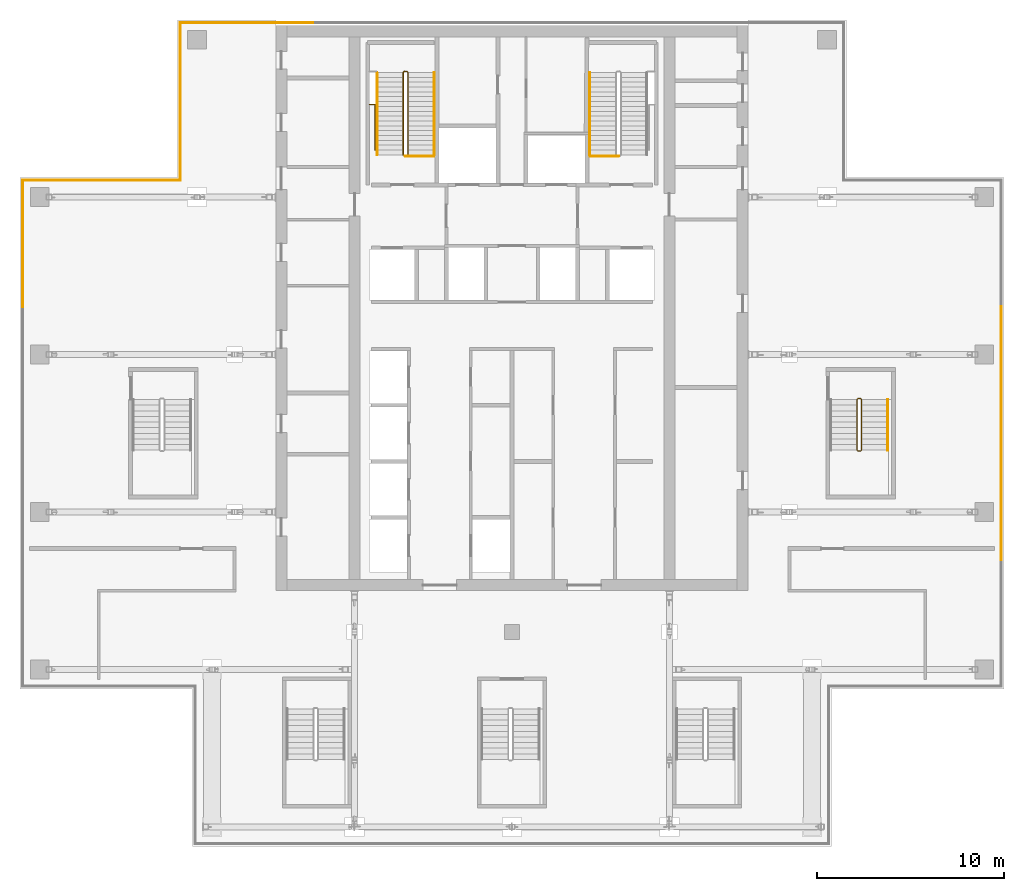
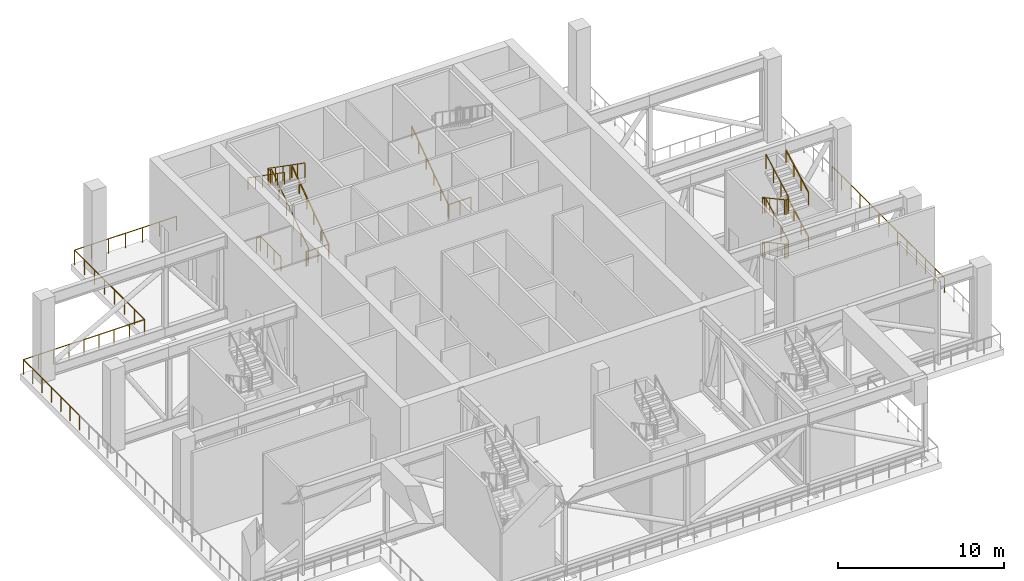
# One storey, part 23 of 24: 16 railings.
"""IFC4 building model written with IfcOpenShell, lengths in metres."""

from ifc_helpers import new_model, si_unit, direction, frame, origin, origin_2d, place, context, subcontext, project, spatial, rectangle, extrude, material, type_object, element, save


model = new_model("IFC4")

# Units and contexts
model_context = context("Model", 3, precision=1e-05, world=origin(), true_north=direction((0.0, 1.0)))
body_context = subcontext(model_context, "Body", "Model", "MODEL_VIEW")
ifc_project = project(units=[si_unit("LENGTHUNIT", "METRE"), si_unit("AREAUNIT", "SQUARE_METRE"), si_unit("VOLUMEUNIT", "CUBIC_METRE"), si_unit("PLANEANGLEUNIT", "RADIAN"), si_unit("MASSUNIT", "GRAM", prefix="KILO")], contexts=[model_context])

# Site, building, storey
site_placement = place(None, origin())
site = spatial("IfcSite", under=ifc_project, at=site_placement, CompositionType="ELEMENT")
building_placement = place(site_placement, origin())
building = spatial("IfcBuilding", under=site, at=building_placement, Name="Vermilion Ogive Tower", CompositionType="ELEMENT")
storey_placement = place(building_placement, frame((0.0, 0.0, 216.949951171875)))
storey = spatial("IfcBuildingStorey", under=building, at=storey_placement, Name="L57", CompositionType="ELEMENT", Elevation=216.949951171875)

# Railings
ifc_material_1 = material(Name="Stainless steel and glass", Category="steel")
railing_type_1 = type_object("IfcRailingType", Name="Edge guard", PredefinedType="GUARDRAIL", material=ifc_material_1)
railing_1_placement = place(storey_placement, frame((-26.10009765625, 6.75, 0.0)))
element("IfcRailing", 1, at=railing_1_placement, inside=storey, type_object=railing_type_1, Name="Open edge guard L57 3.4", PredefinedType="GUARDRAIL", context=body_context, shape_type="SweptSolid", body=[
    extrude(rectangle(XDim=0.048095703125, YDim=0.048095703125, at=origin_2d()), frame((0.0, 0.0, 1.076171875), z_axis=(0.0, 1.0, 0.0), x_axis=(-1.0, 0.0, 0.0)), (0.0, 0.0, 1.0), 6.75),
    extrude(rectangle(XDim=0.0419921875, YDim=0.0419921875, at=origin_2d()), origin(), (0.0, 0.0, 1.0), 1.052001953125),
    extrude(rectangle(XDim=0.0419921875, YDim=0.0419921875, at=origin_2d()), frame((0.0, 1.125, 0.0)), (0.0, 0.0, 1.0), 1.052001953125),
    extrude(rectangle(XDim=0.0419921875, YDim=0.0419921875, at=origin_2d()), frame((0.0, 2.25, 0.0)), (0.0, 0.0, 1.0), 1.052001953125),
    extrude(rectangle(XDim=0.0419921875, YDim=0.0419921875, at=origin_2d()), frame((0.0, 3.375, 0.0)), (0.0, 0.0, 1.0), 1.052001953125),
    extrude(rectangle(XDim=0.0419921875, YDim=0.0419921875, at=origin_2d()), frame((0.0, 4.5, 0.0)), (0.0, 0.0, 1.0), 1.052001953125),
    extrude(rectangle(XDim=0.0419921875, YDim=0.0419921875, at=origin_2d()), frame((0.0, 5.625, 0.0)), (0.0, 0.0, 1.0), 1.052001953125),
    extrude(rectangle(XDim=0.0419921875, YDim=0.0419921875, at=origin_2d()), frame((0.0, 6.75, 0.0)), (0.0, 0.0, 1.0), 1.052001953125),
])
railing_2_placement = place(storey_placement, frame((-26.10009765625, 13.5, 0.0)))
element("IfcRailing", 2, at=railing_2_placement, inside=storey, type_object=railing_type_1, Name="Open edge guard L57 4.1", PredefinedType="GUARDRAIL", context=body_context, shape_type="SweptSolid", body=[
    extrude(rectangle(XDim=0.048095703125, YDim=0.048095703125, at=origin_2d()), frame((0.0, 0.0, 1.076171875), z_axis=(1.0, 0.0, 0.0), x_axis=(0.0, 1.0, 0.0)), (0.0, 0.0, 1.0), 8.400146484375),
    extrude(rectangle(XDim=0.0419921875, YDim=0.0419921875, at=origin_2d()), origin(), (0.0, 0.0, 1.0), 1.052001953125),
    extrude(rectangle(XDim=0.0419921875, YDim=0.0419921875, at=origin_2d()), frame((1.050048828125, 0.0, 0.0)), (0.0, 0.0, 1.0), 1.052001953125),
    extrude(rectangle(XDim=0.0419921875, YDim=0.0419921875, at=origin_2d()), frame((2.10009765625, 0.0, 0.0)), (0.0, 0.0, 1.0), 1.052001953125),
    extrude(rectangle(XDim=0.0419921875, YDim=0.0419921875, at=origin_2d()), frame((3.150146484375, 0.0, 0.0)), (0.0, 0.0, 1.0), 1.052001953125),
    extrude(rectangle(XDim=0.0419921875, YDim=0.0419921875, at=origin_2d()), frame((4.2001953125, 0.0, 0.0)), (0.0, 0.0, 1.0), 1.052001953125),
    extrude(rectangle(XDim=0.0419921875, YDim=0.0419921875, at=origin_2d()), frame((5.25, 0.0, 0.0)), (0.0, 0.0, 1.0), 1.052001953125),
    extrude(rectangle(XDim=0.0419921875, YDim=0.0419921875, at=origin_2d()), frame((6.300048828125, 0.0, 0.0)), (0.0, 0.0, 1.0), 1.052001953125),
    extrude(rectangle(XDim=0.0419921875, YDim=0.0419921875, at=origin_2d()), frame((7.35009765625, 0.0, 0.0)), (0.0, 0.0, 1.0), 1.052001953125),
    extrude(rectangle(XDim=0.0419921875, YDim=0.0419921875, at=origin_2d()), frame((8.400146484375, 0.0, 0.0)), (0.0, 0.0, 1.0), 1.052001953125),
])
railing_3_placement = place(storey_placement, frame((-17.699951171875, 13.5, 0.0)))
element("IfcRailing", 3, at=railing_3_placement, inside=storey, type_object=railing_type_1, Name="Open edge guard L57 5.1", PredefinedType="GUARDRAIL", context=body_context, shape_type="SweptSolid", body=[
    extrude(rectangle(XDim=0.048095703125, YDim=0.048095703125, at=origin_2d()), frame((0.0, 0.0, 1.076171875), z_axis=(0.0, 1.0, 0.0), x_axis=(-1.0, 0.0, 0.0)), (0.0, 0.0, 1.0), 8.39990234375),
    extrude(rectangle(XDim=0.0419921875, YDim=0.0419921875, at=origin_2d()), origin(), (0.0, 0.0, 1.0), 1.052001953125),
    extrude(rectangle(XDim=0.0419921875, YDim=0.0419921875, at=origin_2d()), frame((0.0, 1.199951171875, 0.0)), (0.0, 0.0, 1.0), 1.052001953125),
    extrude(rectangle(XDim=0.0419921875, YDim=0.0419921875, at=origin_2d()), frame((0.0, 2.39990234375, 0.0)), (0.0, 0.0, 1.0), 1.052001953125),
    extrude(rectangle(XDim=0.0419921875, YDim=0.0419921875, at=origin_2d()), frame((0.0, 3.599853515625, 0.0)), (0.0, 0.0, 1.0), 1.052001953125),
    extrude(rectangle(XDim=0.0419921875, YDim=0.0419921875, at=origin_2d()), frame((0.0, 4.800048828125, 0.0)), (0.0, 0.0, 1.0), 1.052001953125),
    extrude(rectangle(XDim=0.0419921875, YDim=0.0419921875, at=origin_2d()), frame((0.0, 6.0, 0.0)), (0.0, 0.0, 1.0), 1.052001953125),
    extrude(rectangle(XDim=0.0419921875, YDim=0.0419921875, at=origin_2d()), frame((0.0, 7.199951171875, 0.0)), (0.0, 0.0, 1.0), 1.052001953125),
    extrude(rectangle(XDim=0.0419921875, YDim=0.0419921875, at=origin_2d()), frame((0.0, 8.39990234375, 0.0)), (0.0, 0.0, 1.0), 1.052001953125),
])
railing_4_placement = place(storey_placement, frame((-17.699951171875, 21.89990234375, 0.0)))
element("IfcRailing", 4, at=railing_4_placement, inside=storey, type_object=railing_type_1, Name="Open edge guard L57 6.1", PredefinedType="GUARDRAIL", context=body_context, shape_type="SweptSolid", body=[
    extrude(rectangle(XDim=0.048095703125, YDim=0.048095703125, at=origin_2d()), frame((0.0, 0.0, 1.076171875), z_axis=(1.0, 0.0, 0.0), x_axis=(0.0, 1.0, 0.0)), (0.0, 0.0, 1.0), 7.079833984375),
    extrude(rectangle(XDim=0.0419921875, YDim=0.0419921875, at=origin_2d()), origin(), (0.0, 0.0, 1.0), 1.052001953125),
    extrude(rectangle(XDim=0.0419921875, YDim=0.0419921875, at=origin_2d()), frame((1.179931640625, 0.0, 0.0)), (0.0, 0.0, 1.0), 1.052001953125),
    extrude(rectangle(XDim=0.0419921875, YDim=0.0419921875, at=origin_2d()), frame((2.35986328125, 0.0, 0.0)), (0.0, 0.0, 1.0), 1.052001953125),
    extrude(rectangle(XDim=0.0419921875, YDim=0.0419921875, at=origin_2d()), frame((3.5400390625, 0.0, 0.0)), (0.0, 0.0, 1.0), 1.052001953125),
    extrude(rectangle(XDim=0.0419921875, YDim=0.0419921875, at=origin_2d()), frame((4.719970703125, 0.0, 0.0)), (0.0, 0.0, 1.0), 1.052001953125),
    extrude(rectangle(XDim=0.0419921875, YDim=0.0419921875, at=origin_2d()), frame((5.89990234375, 0.0, 0.0)), (0.0, 0.0, 1.0), 1.052001953125),
    extrude(rectangle(XDim=0.0419921875, YDim=0.0419921875, at=origin_2d()), frame((7.079833984375, 0.0, 0.0)), (0.0, 0.0, 1.0), 1.052001953125),
])
for number, where, name in (
    (5, (26.10009765625, 6.75, 0.0), "Open edge guard L57 9.2"),
    (6, (26.10009765625, 0.0, 0.0), "Open edge guard L57 9.3"),
):
    element("IfcRailing", number, at=place(storey_placement, frame(where)), inside=storey, type_object=railing_type_1, Name=name, PredefinedType="GUARDRAIL", context=body_context, shape_type="SweptSolid", body=[
        extrude(rectangle(XDim=0.048095703125, YDim=0.048095703125, at=origin_2d()), frame((0.0, 0.0, 1.076171875), z_axis=(0.0, -1.0, 0.0), x_axis=(1.0, 0.0, 0.0)), (0.0, 0.0, 1.0), 6.75),
        extrude(rectangle(XDim=0.0419921875, YDim=0.0419921875, at=origin_2d()), origin(), (0.0, 0.0, 1.0), 1.052001953125),
        extrude(rectangle(XDim=0.0419921875, YDim=0.0419921875, at=origin_2d()), frame((0.0, -1.125, 0.0)), (0.0, 0.0, 1.0), 1.052001953125),
        extrude(rectangle(XDim=0.0419921875, YDim=0.0419921875, at=origin_2d()), frame((0.0, -2.25, 0.0)), (0.0, 0.0, 1.0), 1.052001953125),
        extrude(rectangle(XDim=0.0419921875, YDim=0.0419921875, at=origin_2d()), frame((0.0, -3.375, 0.0)), (0.0, 0.0, 1.0), 1.052001953125),
        extrude(rectangle(XDim=0.0419921875, YDim=0.0419921875, at=origin_2d()), frame((0.0, -4.5, 0.0)), (0.0, 0.0, 1.0), 1.052001953125),
        extrude(rectangle(XDim=0.0419921875, YDim=0.0419921875, at=origin_2d()), frame((0.0, -5.625, 0.0)), (0.0, 0.0, 1.0), 1.052001953125),
        extrude(rectangle(XDim=0.0419921875, YDim=0.0419921875, at=origin_2d()), frame((0.0, -6.75, 0.0)), (0.0, 0.0, 1.0), 1.052001953125),
    ])
ifc_material_2 = material(Name="Steel S355 painted", Category="steel")
railing_type_2 = type_object("IfcRailingType", Name="Stair guard 1100", PredefinedType="GUARDRAIL", material=ifc_material_2)
railing_5_placement = place(storey_placement, frame((-5.75, 14.800048828125, 0.0)))
element("IfcRailing", 7, at=railing_5_placement, inside=storey, type_object=railing_type_2, Name="L57 ST1 stair guard 4", PredefinedType="GUARDRAIL", context=body_context, shape_type="SweptSolid", body=[
    extrude(rectangle(XDim=0.048095703125, YDim=0.048095703125, at=origin_2d()), frame((0.0, 0.0, 1.076171875), z_axis=(1.0, 0.0, 0.0), x_axis=(0.0, 1.0, 0.0)), (0.0, 0.0, 1.0), 0.14990234375),
    extrude(rectangle(XDim=0.048095703125, YDim=0.048095703125, at=origin_2d()), frame((0.14990234375, 0.0, 1.076171875), z_axis=(0.257938167925, 0.257938167925, 0.931093874459), x_axis=(-0.707106781187, 0.707106781187, 0.0)), (0.0, 0.0, 1.0), 0.194091796875),
    extrude(rectangle(XDim=0.048095703125, YDim=0.048095703125, at=origin_2d()), frame((0.199951171875, 0.050048828125, 1.2568359375), z_axis=(0.0, 0.820158737978, 0.572136036725), x_axis=(-1.0, 0.0, 0.0)), (0.0, 0.0, 1.0), 5.36474609375),
    extrude(rectangle(XDim=0.048095703125, YDim=0.048095703125, at=origin_2d()), frame((0.199951171875, 4.449951171875, 4.326171875), z_axis=(-0.707106781187, 0.707106781187, 0.0), x_axis=(-0.707106781187, -0.707106781187, 0.0)), (0.0, 0.0, 1.0), 0.07080078125),
    extrude(rectangle(XDim=0.048095703125, YDim=0.048095703125, at=origin_2d()), frame((0.14990234375, 4.5, 4.326171875), z_axis=(-1.0, 0.0, 0.0), x_axis=(0.0, -1.0, 0.0)), (0.0, 0.0, 1.0), 0.14990234375),
    extrude(rectangle(XDim=0.048095703125, YDim=0.048095703125, at=origin_2d()), frame((0.0, 4.5, 4.326171875), z_axis=(-0.257938167925, -0.257938167925, 0.931093874459), x_axis=(0.707106781187, -0.707106781187, 0.0)), (0.0, 0.0, 1.0), 0.194091796875),
    extrude(rectangle(XDim=0.048095703125, YDim=0.048095703125, at=origin_2d()), frame((-0.050048828125, 4.449951171875, 4.5068359375), z_axis=(0.0, -0.820158737978, 0.572136036725), x_axis=(1.0, 0.0, 0.0)), (0.0, 0.0, 1.0), 5.36474609375),
    extrude(rectangle(XDim=0.0419921875, YDim=0.0419921875, at=origin_2d()), origin(), (0.0, 0.0, 1.0), 1.052001953125),
    extrude(rectangle(XDim=0.0419921875, YDim=0.0419921875, at=origin_2d()), frame((0.14990234375, 0.0, 0.0)), (0.0, 0.0, 1.0), 1.052001953125),
    extrude(rectangle(XDim=0.0419921875, YDim=0.0419921875, at=origin_2d()), frame((0.199951171875, 0.050048828125, 0.1806640625)), (0.0, 0.0, 1.0), 1.052001953125),
    extrude(rectangle(XDim=0.0419921875, YDim=0.0419921875, at=origin_2d()), frame((0.199951171875, 0.929931640625, 0.79443359375)), (0.0, 0.0, 1.0), 1.052001953125),
    extrude(rectangle(XDim=0.0419921875, YDim=0.0419921875, at=origin_2d()), frame((0.199951171875, 1.81005859375, 1.408447265625)), (0.0, 0.0, 1.0), 1.052001953125),
    extrude(rectangle(XDim=0.0419921875, YDim=0.0419921875, at=origin_2d()), frame((0.199951171875, 2.68994140625, 2.022216796875)), (0.0, 0.0, 1.0), 1.052001953125),
    extrude(rectangle(XDim=0.0419921875, YDim=0.0419921875, at=origin_2d()), frame((0.199951171875, 3.570068359375, 2.63623046875)), (0.0, 0.0, 1.0), 1.052001953125),
    extrude(rectangle(XDim=0.0419921875, YDim=0.0419921875, at=origin_2d()), frame((0.199951171875, 4.449951171875, 3.25)), (0.0, 0.0, 1.0), 1.052001953125),
    extrude(rectangle(XDim=0.0419921875, YDim=0.0419921875, at=origin_2d()), frame((0.14990234375, 4.5, 3.25)), (0.0, 0.0, 1.0), 1.052001953125),
    extrude(rectangle(XDim=0.0419921875, YDim=0.0419921875, at=origin_2d()), frame((0.0, 4.5, 3.25)), (0.0, 0.0, 1.0), 1.052001953125),
    extrude(rectangle(XDim=0.0419921875, YDim=0.0419921875, at=origin_2d()), frame((-0.050048828125, 4.449951171875, 3.4306640625)), (0.0, 0.0, 1.0), 1.052001953125),
    extrude(rectangle(XDim=0.0419921875, YDim=0.0419921875, at=origin_2d()), frame((-0.050048828125, 3.570068359375, 4.04443359375)), (0.0, 0.0, 1.0), 1.052001953125),
    extrude(rectangle(XDim=0.0419921875, YDim=0.0419921875, at=origin_2d()), frame((-0.050048828125, 2.68994140625, 4.658447265625)), (0.0, 0.0, 1.0), 1.052001953125),
    extrude(rectangle(XDim=0.0419921875, YDim=0.0419921875, at=origin_2d()), frame((-0.050048828125, 1.81005859375, 5.272216796875)), (0.0, 0.0, 1.0), 1.052001953125),
    extrude(rectangle(XDim=0.0419921875, YDim=0.0419921875, at=origin_2d()), frame((-0.050048828125, 0.929931640625, 5.88623046875)), (0.0, 0.0, 1.0), 1.052001953125),
    extrude(rectangle(XDim=0.0419921875, YDim=0.0419921875, at=origin_2d()), frame((-0.050048828125, 0.050048828125, 6.5)), (0.0, 0.0, 1.0), 1.052001953125),
])
railing_6_placement = place(storey_placement, frame((18.60009765625, 1.85009765625, 0.0)))
element("IfcRailing", 8, at=railing_6_placement, inside=storey, type_object=railing_type_2, Name="L57 ST8 stair guard 8", PredefinedType="GUARDRAIL", context=body_context, shape_type="SweptSolid", body=[
    extrude(rectangle(XDim=0.048095703125, YDim=0.048095703125, at=origin_2d()), frame((0.0, 0.0, 1.076171875), z_axis=(-1.0, 0.0, 0.0), x_axis=(0.0, -1.0, 0.0)), (0.0, 0.0, 1.0), 0.150146484375),
    extrude(rectangle(XDim=0.048095703125, YDim=0.048095703125, at=origin_2d()), frame((-0.150146484375, 0.0, 1.076171875), z_axis=(-0.282227285176, -0.282227285176, 0.916894497205), x_axis=(0.707106781187, -0.707106781187, 0.0)), (0.0, 0.0, 1.0), 0.17724609375),
    extrude(rectangle(XDim=0.048095703125, YDim=0.048095703125, at=origin_2d()), frame((-0.2001953125, -0.050048828125, 1.23876953125), z_axis=(0.0, -0.87930167832, 0.476265218658), x_axis=(1.0, 0.0, 0.0)), (0.0, 0.0, 1.0), 3.070556640625),
    extrude(rectangle(XDim=0.048095703125, YDim=0.048095703125, at=origin_2d()), frame((-0.2001953125, -2.75, 2.701171875), z_axis=(0.707106781187, -0.707106781187, 0.0), x_axis=(0.707106781187, 0.707106781187, 0.0)), (0.0, 0.0, 1.0), 0.07080078125),
    extrude(rectangle(XDim=0.048095703125, YDim=0.048095703125, at=origin_2d()), frame((-0.150146484375, -2.800048828125, 2.701171875), z_axis=(1.0, 0.0, 0.0), x_axis=(0.0, 1.0, 0.0)), (0.0, 0.0, 1.0), 0.150146484375),
    extrude(rectangle(XDim=0.048095703125, YDim=0.048095703125, at=origin_2d()), frame((0.0, -2.800048828125, 2.701171875), z_axis=(0.280959487676, 0.282336740067, 0.917250092119), x_axis=(-0.708833529934, 0.705375805398, 0.0)), (0.0, 0.0, 1.0), 0.17724609375),
    extrude(rectangle(XDim=0.048095703125, YDim=0.048095703125, at=origin_2d()), frame((0.0498046875, -2.75, 2.86376953125), z_axis=(0.0, 0.87930167832, 0.476265218658), x_axis=(-1.0, 0.0, 0.0)), (0.0, 0.0, 1.0), 3.070556640625),
    extrude(rectangle(XDim=0.048095703125, YDim=0.048095703125, at=origin_2d()), frame((0.0498046875, -0.050048828125, 4.326171875), z_axis=(-0.705375805398, 0.708833529934, 0.0), x_axis=(-0.708833529934, -0.705375805398, 0.0)), (0.0, 0.0, 1.0), 0.070556640625),
    extrude(rectangle(XDim=0.048095703125, YDim=0.048095703125, at=origin_2d()), frame((0.0, 0.0, 4.326171875), z_axis=(-1.0, 0.0, 0.0), x_axis=(0.0, -1.0, 0.0)), (0.0, 0.0, 1.0), 0.150146484375),
    extrude(rectangle(XDim=0.048095703125, YDim=0.048095703125, at=origin_2d()), frame((-0.150146484375, 0.0, 4.326171875), z_axis=(-0.282227285176, -0.282227285176, 0.916894497205), x_axis=(0.707106781187, -0.707106781187, 0.0)), (0.0, 0.0, 1.0), 0.17724609375),
    extrude(rectangle(XDim=0.048095703125, YDim=0.048095703125, at=origin_2d()), frame((-0.2001953125, -0.050048828125, 4.48876953125), z_axis=(0.0, -0.87930167832, 0.476265218658), x_axis=(1.0, 0.0, 0.0)), (0.0, 0.0, 1.0), 3.070556640625),
    extrude(rectangle(XDim=0.048095703125, YDim=0.048095703125, at=origin_2d()), frame((-0.2001953125, -2.75, 5.951171875), z_axis=(0.707106781187, -0.707106781187, 0.0), x_axis=(0.707106781187, 0.707106781187, 0.0)), (0.0, 0.0, 1.0), 0.07080078125),
    extrude(rectangle(XDim=0.048095703125, YDim=0.048095703125, at=origin_2d()), frame((-0.150146484375, -2.800048828125, 5.951171875), z_axis=(1.0, 0.0, 0.0), x_axis=(0.0, 1.0, 0.0)), (0.0, 0.0, 1.0), 0.150146484375),
    extrude(rectangle(XDim=0.048095703125, YDim=0.048095703125, at=origin_2d()), frame((0.0, -2.800048828125, 5.951171875), z_axis=(0.280959487676, 0.282336740067, 0.917250092119), x_axis=(-0.708833529934, 0.705375805398, 0.0)), (0.0, 0.0, 1.0), 0.17724609375),
    extrude(rectangle(XDim=0.048095703125, YDim=0.048095703125, at=origin_2d()), frame((0.0498046875, -2.75, 6.11376953125), z_axis=(0.0, 0.87930167832, 0.476265218658), x_axis=(-1.0, 0.0, 0.0)), (0.0, 0.0, 1.0), 3.070556640625),
    extrude(rectangle(XDim=0.0419921875, YDim=0.0419921875, at=origin_2d()), origin(), (0.0, 0.0, 1.0), 1.052001953125),
    extrude(rectangle(XDim=0.0419921875, YDim=0.0419921875, at=origin_2d()), frame((-0.150146484375, 0.0, 0.0)), (0.0, 0.0, 1.0), 1.052001953125),
    extrude(rectangle(XDim=0.0419921875, YDim=0.0419921875, at=origin_2d()), frame((-0.2001953125, -0.050048828125, 0.16259765625)), (0.0, 0.0, 1.0), 1.052001953125),
    extrude(rectangle(XDim=0.0419921875, YDim=0.0419921875, at=origin_2d()), frame((-0.2001953125, -0.949951171875, 0.650146484375)), (0.0, 0.0, 1.0), 1.052001953125),
    extrude(rectangle(XDim=0.0419921875, YDim=0.0419921875, at=origin_2d()), frame((-0.2001953125, -1.85009765625, 1.137451171875)), (0.0, 0.0, 1.0), 1.052001953125),
    extrude(rectangle(XDim=0.0419921875, YDim=0.0419921875, at=origin_2d()), frame((-0.2001953125, -2.75, 1.625)), (0.0, 0.0, 1.0), 1.052001953125),
    extrude(rectangle(XDim=0.0419921875, YDim=0.0419921875, at=origin_2d()), frame((-0.150146484375, -2.800048828125, 1.625)), (0.0, 0.0, 1.0), 1.052001953125),
    extrude(rectangle(XDim=0.0419921875, YDim=0.0419921875, at=origin_2d()), frame((0.0, -2.800048828125, 1.625)), (0.0, 0.0, 1.0), 1.052001953125),
    extrude(rectangle(XDim=0.0419921875, YDim=0.0419921875, at=origin_2d()), frame((0.0498046875, -2.75, 1.78759765625)), (0.0, 0.0, 1.0), 1.052001953125),
    extrude(rectangle(XDim=0.0419921875, YDim=0.0419921875, at=origin_2d()), frame((0.0498046875, -1.85009765625, 2.275146484375)), (0.0, 0.0, 1.0), 1.052001953125),
    extrude(rectangle(XDim=0.0419921875, YDim=0.0419921875, at=origin_2d()), frame((0.0498046875, -0.949951171875, 2.762451171875)), (0.0, 0.0, 1.0), 1.052001953125),
    extrude(rectangle(XDim=0.0419921875, YDim=0.0419921875, at=origin_2d()), frame((0.0498046875, -0.050048828125, 3.25)), (0.0, 0.0, 1.0), 1.052001953125),
    extrude(rectangle(XDim=0.0419921875, YDim=0.0419921875, at=origin_2d()), frame((0.0, 0.0, 3.25)), (0.0, 0.0, 1.0), 1.052001953125),
    extrude(rectangle(XDim=0.0419921875, YDim=0.0419921875, at=origin_2d()), frame((-0.150146484375, 0.0, 3.25)), (0.0, 0.0, 1.0), 1.052001953125),
    extrude(rectangle(XDim=0.0419921875, YDim=0.0419921875, at=origin_2d()), frame((-0.2001953125, -0.050048828125, 3.41259765625)), (0.0, 0.0, 1.0), 1.052001953125),
    extrude(rectangle(XDim=0.0419921875, YDim=0.0419921875, at=origin_2d()), frame((-0.2001953125, -0.949951171875, 3.900146484375)), (0.0, 0.0, 1.0), 1.052001953125),
    extrude(rectangle(XDim=0.0419921875, YDim=0.0419921875, at=origin_2d()), frame((-0.2001953125, -1.85009765625, 4.387451171875)), (0.0, 0.0, 1.0), 1.052001953125),
    extrude(rectangle(XDim=0.0419921875, YDim=0.0419921875, at=origin_2d()), frame((-0.2001953125, -2.75, 4.875)), (0.0, 0.0, 1.0), 1.052001953125),
    extrude(rectangle(XDim=0.0419921875, YDim=0.0419921875, at=origin_2d()), frame((-0.150146484375, -2.800048828125, 4.875)), (0.0, 0.0, 1.0), 1.052001953125),
    extrude(rectangle(XDim=0.0419921875, YDim=0.0419921875, at=origin_2d()), frame((0.0, -2.800048828125, 4.875)), (0.0, 0.0, 1.0), 1.052001953125),
    extrude(rectangle(XDim=0.0419921875, YDim=0.0419921875, at=origin_2d()), frame((0.0498046875, -2.75, 5.03759765625)), (0.0, 0.0, 1.0), 1.052001953125),
    extrude(rectangle(XDim=0.0419921875, YDim=0.0419921875, at=origin_2d()), frame((0.0498046875, -1.85009765625, 5.525146484375)), (0.0, 0.0, 1.0), 1.052001953125),
    extrude(rectangle(XDim=0.0419921875, YDim=0.0419921875, at=origin_2d()), frame((0.0498046875, -0.949951171875, 6.012451171875)), (0.0, 0.0, 1.0), 1.052001953125),
    extrude(rectangle(XDim=0.0419921875, YDim=0.0419921875, at=origin_2d()), frame((0.0498046875, -0.050048828125, 6.5)), (0.0, 0.0, 1.0), 1.052001953125),
])
railing_7_placement = place(storey_placement, frame((-4.159912109375, 14.7900390625, 0.0)))
element("IfcRailing", 9, at=railing_7_placement, inside=storey, type_object=railing_type_2, Name="L57 stair opening guard", PredefinedType="GUARDRAIL", context=body_context, shape_type="SweptSolid", body=[
    extrude(rectangle(XDim=0.048095703125, YDim=0.048095703125, at=origin_2d()), frame((0.0, 0.0, 1.076171875), z_axis=(-1.0, 0.0, 0.0), x_axis=(0.0, -1.0, 0.0)), (0.0, 0.0, 1.0), 1.5400390625),
    extrude(rectangle(XDim=0.0419921875, YDim=0.0419921875, at=origin_2d()), origin(), (0.0, 0.0, 1.0), 1.052001953125),
    extrude(rectangle(XDim=0.0419921875, YDim=0.0419921875, at=origin_2d()), frame((-0.77001953125, 0.0, 0.0)), (0.0, 0.0, 1.0), 1.052001953125),
    extrude(rectangle(XDim=0.0419921875, YDim=0.0419921875, at=origin_2d()), frame((-1.5400390625, 0.0, 0.0)), (0.0, 0.0, 1.0), 1.052001953125),
])
railing_8_placement = place(storey_placement, frame((-7.3095703125, 15.11865234375, 0.0)))
element("IfcRailing", 10, at=railing_8_placement, inside=storey, type_object=railing_type_2, Name="L57 stair opening guard", PredefinedType="GUARDRAIL", context=body_context, shape_type="SweptSolid", body=[
    extrude(rectangle(XDim=0.048095703125, YDim=0.048095703125, at=origin_2d()), frame((0.0, 0.0, 1.076171875), z_axis=(0.0, 1.0, 0.0), x_axis=(-1.0, 0.0, 0.0)), (0.0, 0.0, 1.0), 2.42431640625),
    extrude(rectangle(XDim=0.048095703125, YDim=0.048095703125, at=origin_2d()), frame((0.0, 2.42431640625, 1.076171875), z_axis=(-1.0, 0.0, 0.0), x_axis=(0.0, -1.0, 0.0)), (0.0, 0.0, 1.0), 0.2900390625),
    extrude(rectangle(XDim=0.0419921875, YDim=0.0419921875, at=origin_2d()), origin(), (0.0, 0.0, 1.0), 1.052001953125),
    extrude(rectangle(XDim=0.0419921875, YDim=0.0419921875, at=origin_2d()), frame((0.0, 0.80810546875, 0.0)), (0.0, 0.0, 1.0), 1.052001953125),
    extrude(rectangle(XDim=0.0419921875, YDim=0.0419921875, at=origin_2d()), frame((0.0, 1.6162109375, 0.0)), (0.0, 0.0, 1.0), 1.052001953125),
    extrude(rectangle(XDim=0.0419921875, YDim=0.0419921875, at=origin_2d()), frame((0.0, 2.42431640625, 0.0)), (0.0, 0.0, 1.0), 1.052001953125),
    extrude(rectangle(XDim=0.0419921875, YDim=0.0419921875, at=origin_2d()), frame((-0.2900390625, 2.42431640625, 0.0)), (0.0, 0.0, 1.0), 1.052001953125),
])
railing_9_placement = place(storey_placement, frame((5.699951171875, 14.7900390625, 0.0)))
element("IfcRailing", 11, at=railing_9_placement, inside=storey, type_object=railing_type_2, Name="L57 stair opening guard", PredefinedType="GUARDRAIL", context=body_context, shape_type="SweptSolid", body=[
    extrude(rectangle(XDim=0.048095703125, YDim=0.048095703125, at=origin_2d()), frame((0.0, 0.0, 1.076171875), z_axis=(-1.0, 0.0, 0.0), x_axis=(0.0, -1.0, 0.0)), (0.0, 0.0, 1.0), 1.5400390625),
    extrude(rectangle(XDim=0.0419921875, YDim=0.0419921875, at=origin_2d()), origin(), (0.0, 0.0, 1.0), 1.052001953125),
    extrude(rectangle(XDim=0.0419921875, YDim=0.0419921875, at=origin_2d()), frame((-0.77001953125, 0.0, 0.0)), (0.0, 0.0, 1.0), 1.052001953125),
    extrude(rectangle(XDim=0.0419921875, YDim=0.0419921875, at=origin_2d()), frame((-1.5400390625, 0.0, 0.0)), (0.0, 0.0, 1.0), 1.052001953125),
])
ifc_material_3 = material(Name="Stainless steel", Category="steel")
railing_type_3 = type_object("IfcRailingType", Name="Stair handrail 900", PredefinedType="HANDRAIL", material=ifc_material_3)
railing_10_placement = place(storey_placement, frame((-4.14990234375, 14.85009765625, 0.1806640625)))
element("IfcRailing", 12, at=railing_10_placement, inside=storey, type_object=railing_type_3, Name="L57 ST1 stair handrail 1", PredefinedType="HANDRAIL", context=body_context, shape_type="SweptSolid", body=[
    extrude(rectangle(XDim=0.048095703125, YDim=0.048095703125, at=origin_2d()), frame((0.0, 0.0, 0.8759765625), z_axis=(0.0, 0.820158737978, 0.572136036725), x_axis=(-1.0, 0.0, 0.0)), (0.0, 0.0, 1.0), 5.36474609375),
    extrude(rectangle(XDim=0.0419921875, YDim=0.0419921875, at=origin_2d()), origin(), (0.0, 0.0, 1.0), 0.851806640625),
    extrude(rectangle(XDim=0.0419921875, YDim=0.0419921875, at=origin_2d()), frame((0.0, 0.8798828125, 0.61376953125)), (0.0, 0.0, 1.0), 0.851806640625),
    extrude(rectangle(XDim=0.0419921875, YDim=0.0419921875, at=origin_2d()), frame((0.0, 1.760009765625, 1.227783203125)), (0.0, 0.0, 1.0), 0.851806640625),
    extrude(rectangle(XDim=0.0419921875, YDim=0.0419921875, at=origin_2d()), frame((0.0, 2.639892578125, 1.841552734375)), (0.0, 0.0, 1.0), 0.851806640625),
    extrude(rectangle(XDim=0.0419921875, YDim=0.0419921875, at=origin_2d()), frame((0.0, 3.52001953125, 2.45556640625)), (0.0, 0.0, 1.0), 0.851806640625),
    extrude(rectangle(XDim=0.0419921875, YDim=0.0419921875, at=origin_2d()), frame((0.0, 4.39990234375, 3.0693359375)), (0.0, 0.0, 1.0), 0.851806640625),
])
railing_11_placement = place(storey_placement, frame((-7.199951171875, 19.25, 3.4306640625)))
element("IfcRailing", 13, at=railing_11_placement, inside=storey, type_object=railing_type_3, Name="L57 ST1 stair handrail 2", PredefinedType="HANDRAIL", context=body_context, shape_type="SweptSolid", body=[
    extrude(rectangle(XDim=0.048095703125, YDim=0.048095703125, at=origin_2d()), frame((0.0, 0.0, 0.8759765625), z_axis=(0.0, -0.820158737978, 0.572136036725), x_axis=(1.0, 0.0, 0.0)), (0.0, 0.0, 1.0), 5.36474609375),
    extrude(rectangle(XDim=0.0419921875, YDim=0.0419921875, at=origin_2d()), origin(), (0.0, 0.0, 1.0), 0.851806640625),
    extrude(rectangle(XDim=0.0419921875, YDim=0.0419921875, at=origin_2d()), frame((0.0, -0.8798828125, 0.61376953125)), (0.0, 0.0, 1.0), 0.851806640625),
    extrude(rectangle(XDim=0.0419921875, YDim=0.0419921875, at=origin_2d()), frame((0.0, -1.760009765625, 1.227783203125)), (0.0, 0.0, 1.0), 0.851806640625),
    extrude(rectangle(XDim=0.0419921875, YDim=0.0419921875, at=origin_2d()), frame((0.0, -2.639892578125, 1.841552734375)), (0.0, 0.0, 1.0), 0.851806640625),
    extrude(rectangle(XDim=0.0419921875, YDim=0.0419921875, at=origin_2d()), frame((0.0, -3.52001953125, 2.45556640625)), (0.0, 0.0, 1.0), 0.851806640625),
    extrude(rectangle(XDim=0.0419921875, YDim=0.0419921875, at=origin_2d()), frame((0.0, -4.39990234375, 3.0693359375)), (0.0, 0.0, 1.0), 0.851806640625),
])
railing_12_placement = place(storey_placement, frame((4.14990234375, 14.85009765625, 0.1806640625)))
element("IfcRailing", 14, at=railing_12_placement, inside=storey, type_object=railing_type_3, Name="L57 ST2 stair handrail 1", PredefinedType="HANDRAIL", context=body_context, shape_type="SweptSolid", body=[
    extrude(rectangle(XDim=0.048095703125, YDim=0.048095703125, at=origin_2d()), frame((0.0, 0.0, 0.8759765625), z_axis=(0.0, 0.820158737978, 0.572136036725), x_axis=(-1.0, 0.0, 0.0)), (0.0, 0.0, 1.0), 5.36474609375),
    extrude(rectangle(XDim=0.0419921875, YDim=0.0419921875, at=origin_2d()), origin(), (0.0, 0.0, 1.0), 0.851806640625),
    extrude(rectangle(XDim=0.0419921875, YDim=0.0419921875, at=origin_2d()), frame((0.0, 0.8798828125, 0.61376953125)), (0.0, 0.0, 1.0), 0.851806640625),
    extrude(rectangle(XDim=0.0419921875, YDim=0.0419921875, at=origin_2d()), frame((0.0, 1.760009765625, 1.227783203125)), (0.0, 0.0, 1.0), 0.851806640625),
    extrude(rectangle(XDim=0.0419921875, YDim=0.0419921875, at=origin_2d()), frame((0.0, 2.639892578125, 1.841552734375)), (0.0, 0.0, 1.0), 0.851806640625),
    extrude(rectangle(XDim=0.0419921875, YDim=0.0419921875, at=origin_2d()), frame((0.0, 3.52001953125, 2.45556640625)), (0.0, 0.0, 1.0), 0.851806640625),
    extrude(rectangle(XDim=0.0419921875, YDim=0.0419921875, at=origin_2d()), frame((0.0, 4.39990234375, 3.0693359375)), (0.0, 0.0, 1.0), 0.851806640625),
])
for number, where, name in (
    (15, (20.050048828125, -0.89990234375, 1.78759765625), "L57 ST8 stair handrail 2"),
    (16, (20.050048828125, -0.89990234375, 5.03759765625), "L57 ST8 stair handrail 4"),
):
    element("IfcRailing", number, at=place(storey_placement, frame(where)), inside=storey, type_object=railing_type_3, Name=name, PredefinedType="HANDRAIL", context=body_context, shape_type="SweptSolid", body=[
        extrude(rectangle(XDim=0.048095703125, YDim=0.048095703125, at=origin_2d()), frame((0.0, 0.0, 0.8759765625), z_axis=(0.0, 0.87930167832, 0.476265218658), x_axis=(-1.0, 0.0, 0.0)), (0.0, 0.0, 1.0), 3.070556640625),
        extrude(rectangle(XDim=0.0419921875, YDim=0.0419921875, at=origin_2d()), origin(), (0.0, 0.0, 1.0), 0.851806640625),
        extrude(rectangle(XDim=0.0419921875, YDim=0.0419921875, at=origin_2d()), frame((0.0, 0.89990234375, 0.487548828125)), (0.0, 0.0, 1.0), 0.851806640625),
        extrude(rectangle(XDim=0.0419921875, YDim=0.0419921875, at=origin_2d()), frame((0.0, 1.800048828125, 0.974853515625)), (0.0, 0.0, 1.0), 0.851806640625),
        extrude(rectangle(XDim=0.0419921875, YDim=0.0419921875, at=origin_2d()), frame((0.0, 2.699951171875, 1.46240234375)), (0.0, 0.0, 1.0), 0.851806640625),
    ])

save(model, "model.ifc")
